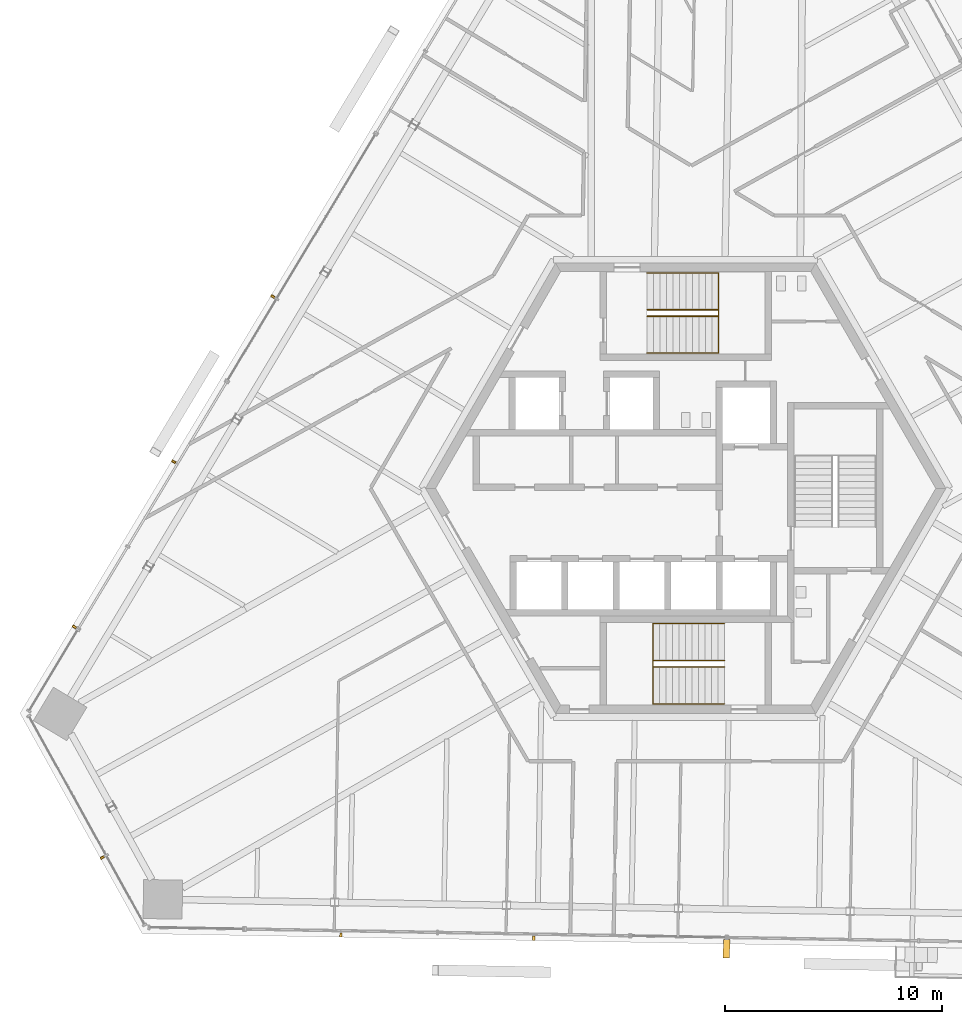
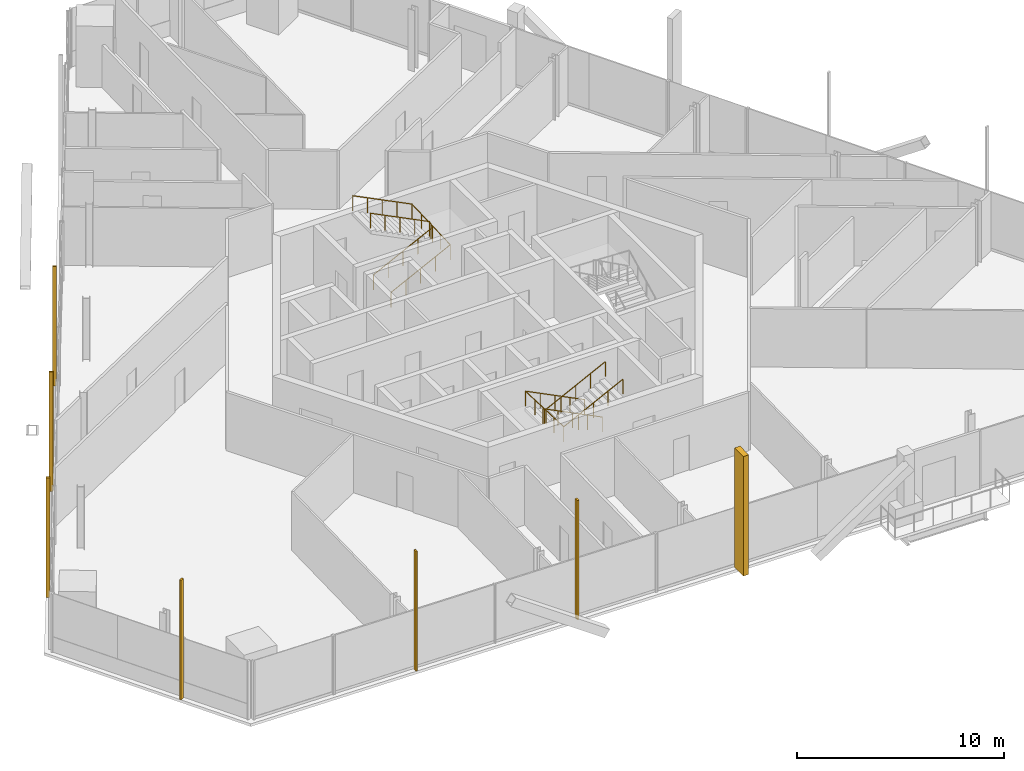
# One storey, part 16 of 21: 7 shading devices, 4 railings.
"""IFC4 building model written with IfcOpenShell, lengths in metres."""

from ifc_helpers import new_model, si_unit, direction, frame, origin, origin_2d, place, context, subcontext, project, spatial, rectangle, circle, extrude, source, transform, mapped, material, type_object, element, save


model = new_model("IFC4")

# Units and contexts
model_context = context("Model", 3, precision=1e-05, world=origin(), true_north=direction((0.0, 1.0)))
body_context = subcontext(model_context, "Body", "Model", "MODEL_VIEW")
ifc_project = project(units=[si_unit("LENGTHUNIT", "METRE"), si_unit("AREAUNIT", "SQUARE_METRE"), si_unit("VOLUMEUNIT", "CUBIC_METRE"), si_unit("PLANEANGLEUNIT", "RADIAN"), si_unit("MASSUNIT", "GRAM", prefix="KILO")], contexts=[model_context])

# Site, building, storey
site_placement = place(None, origin())
site = spatial("IfcSite", under=ifc_project, at=site_placement, CompositionType="ELEMENT")
building_placement = place(site_placement, origin())
building = spatial("IfcBuilding", under=site, at=building_placement, Name="Triune Harvest Tower", CompositionType="ELEMENT")
storey_placement = place(building_placement, frame((0.0, 0.0, 201.5)))
storey = spatial("IfcBuildingStorey", under=building, at=storey_placement, Name="L52", CompositionType="ELEMENT", Elevation=201.5)

# Railings
ifc_material_1 = material(Name="Stainless steel AISI 316", Category="steel")
railing_type = type_object("IfcRailingType", Name="Stair handrail", PredefinedType="HANDRAIL", material=ifc_material_1)
shared_shape_1 = source(origin(), body_context, "Body", "SweptSolid", [
    extrude(circle(Radius=0.02392578125, at=origin_2d()), frame((0.0, 0.0, 0.8759765625), z_axis=(0.894413956696, 0.0, 0.447240063129), x_axis=(0.0, 1.0, 0.0)), (0.0, 0.0, 1.0), 3.689697265625),
    extrude(circle(Radius=0.02392578125, at=origin_2d()), frame((3.300048828125, 0.0, 2.52587890625), z_axis=(0.0, 0.999180289278, 0.040481471304), x_axis=(-1.0, 0.0, 0.0)), (0.0, 0.0, 1.0), 3.702880859375),
    extrude(circle(Radius=0.02392578125, at=origin_2d()), frame((3.300048828125, 3.699951171875, 2.67578125), z_axis=(-0.894413956696, 0.0, 0.447240063129), x_axis=(0.0, -1.0, 0.0)), (0.0, 0.0, 1.0), 3.689697265625),
    extrude(circle(Radius=0.02099609375, at=origin_2d()), origin(), (0.0, 0.0, 1.0), 0.851806640625),
    extrude(circle(Radius=0.02099609375, at=origin_2d()), frame((0.824951171875, 0.0, 0.41259765625)), (0.0, 0.0, 1.0), 0.851806640625),
    extrude(circle(Radius=0.02099609375, at=origin_2d()), frame((1.64990234375, 0.0, 0.8251953125)), (0.0, 0.0, 1.0), 0.851806640625),
    extrude(circle(Radius=0.02099609375, at=origin_2d()), frame((2.47509765625, 0.0, 1.237548828125)), (0.0, 0.0, 1.0), 0.851806640625),
    extrude(circle(Radius=0.02099609375, at=origin_2d()), frame((3.300048828125, 0.0, 1.650146484375)), (0.0, 0.0, 1.0), 0.851806640625),
    extrude(circle(Radius=0.02099609375, at=origin_2d()), frame((3.300048828125, 0.925048828125, 1.6875)), (0.0, 0.0, 1.0), 0.851806640625),
    extrude(circle(Radius=0.02099609375, at=origin_2d()), frame((3.300048828125, 1.85009765625, 1.72509765625)), (0.0, 0.0, 1.0), 0.851806640625),
    extrude(circle(Radius=0.02099609375, at=origin_2d()), frame((3.300048828125, 2.77490234375, 1.7626953125)), (0.0, 0.0, 1.0), 0.851806640625),
    extrude(circle(Radius=0.02099609375, at=origin_2d()), frame((3.300048828125, 3.699951171875, 1.800048828125)), (0.0, 0.0, 1.0), 0.851806640625),
    extrude(circle(Radius=0.02099609375, at=origin_2d()), frame((2.47509765625, 3.699951171875, 2.212646484375)), (0.0, 0.0, 1.0), 0.851806640625),
    extrude(circle(Radius=0.02099609375, at=origin_2d()), frame((1.64990234375, 3.699951171875, 2.625)), (0.0, 0.0, 1.0), 0.851806640625),
    extrude(circle(Radius=0.02099609375, at=origin_2d()), frame((0.824951171875, 3.699951171875, 3.03759765625)), (0.0, 0.0, 1.0), 0.851806640625),
    extrude(circle(Radius=0.02099609375, at=origin_2d()), frame((0.0, 3.699951171875, 3.4501953125)), (0.0, 0.0, 1.0), 0.851806640625),
])
railing_1_placement = place(storey_placement, frame((-1.7900390625, 6.239990234375, 0.14990234375)))
element("IfcRailing", 1, at=railing_1_placement, inside=storey, type_object=railing_type, Name="Exit stair north wall handrail", PredefinedType="HANDRAIL", context=body_context, shape_type="MappedRepresentation", body=[
    mapped(shared_shape_1, transform((0.0, 0.0, 0.0), scale=1.0)),
])
shared_shape_2 = source(origin(), body_context, "Body", "SweptSolid", [
    extrude(circle(Radius=0.02392578125, at=origin_2d()), frame((0.0, 0.0, 0.8759765625), z_axis=(0.894413956696, 0.0, 0.447240063129), x_axis=(0.0, 1.0, 0.0)), (0.0, 0.0, 1.0), 3.689697265625),
    extrude(circle(Radius=0.02392578125, at=origin_2d()), frame((3.300048828125, 0.0, 2.52587890625), z_axis=(0.0, 0.894572720946, 0.446922417137), x_axis=(-1.0, 0.0, 0.0)), (0.0, 0.0, 1.0), 0.33544921875),
    extrude(circle(Radius=0.02392578125, at=origin_2d()), frame((3.300048828125, 0.300048828125, 2.67578125), z_axis=(-0.894413956696, 0.0, 0.447240063129), x_axis=(0.0, -1.0, 0.0)), (0.0, 0.0, 1.0), 3.689697265625),
    extrude(circle(Radius=0.02099609375, at=origin_2d()), origin(), (0.0, 0.0, 1.0), 0.851806640625),
    extrude(circle(Radius=0.02099609375, at=origin_2d()), frame((0.824951171875, 0.0, 0.41259765625)), (0.0, 0.0, 1.0), 0.851806640625),
    extrude(circle(Radius=0.02099609375, at=origin_2d()), frame((1.64990234375, 0.0, 0.8251953125)), (0.0, 0.0, 1.0), 0.851806640625),
    extrude(circle(Radius=0.02099609375, at=origin_2d()), frame((2.47509765625, 0.0, 1.237548828125)), (0.0, 0.0, 1.0), 0.851806640625),
    extrude(circle(Radius=0.02099609375, at=origin_2d()), frame((3.300048828125, 0.0, 1.650146484375)), (0.0, 0.0, 1.0), 0.851806640625),
    extrude(circle(Radius=0.02099609375, at=origin_2d()), frame((3.300048828125, 0.300048828125, 1.800048828125)), (0.0, 0.0, 1.0), 0.851806640625),
    extrude(circle(Radius=0.02099609375, at=origin_2d()), frame((2.47509765625, 0.300048828125, 2.212646484375)), (0.0, 0.0, 1.0), 0.851806640625),
    extrude(circle(Radius=0.02099609375, at=origin_2d()), frame((1.64990234375, 0.300048828125, 2.625)), (0.0, 0.0, 1.0), 0.851806640625),
    extrude(circle(Radius=0.02099609375, at=origin_2d()), frame((0.824951171875, 0.300048828125, 3.03759765625)), (0.0, 0.0, 1.0), 0.851806640625),
    extrude(circle(Radius=0.02099609375, at=origin_2d()), frame((0.0, 0.300048828125, 3.4501953125)), (0.0, 0.0, 1.0), 0.851806640625),
])
railing_2_placement = place(storey_placement, frame((-1.7900390625, 7.93994140625, 0.14990234375)))
element("IfcRailing", 2, at=railing_2_placement, inside=storey, type_object=railing_type, Name="Exit stair north centre handrail", PredefinedType="HANDRAIL", context=body_context, shape_type="MappedRepresentation", body=[
    mapped(shared_shape_2, transform((0.0, 0.0, 0.0), scale=1.0)),
])
shared_shape_3 = source(origin(), body_context, "Body", "SweptSolid", [
    extrude(circle(Radius=0.02392578125, at=origin_2d()), frame((0.0, 0.0, 0.8759765625), z_axis=(-0.894413956696, 0.0, 0.447240063129), x_axis=(0.0, -1.0, 0.0)), (0.0, 0.0, 1.0), 3.689697265625),
    extrude(circle(Radius=0.02392578125, at=origin_2d()), frame((-3.300048828125, 0.0, 2.52587890625), z_axis=(0.0, -0.999180289278, 0.040481471304), x_axis=(1.0, 0.0, 0.0)), (0.0, 0.0, 1.0), 3.702880859375),
    extrude(circle(Radius=0.02392578125, at=origin_2d()), frame((-3.300048828125, -3.699951171875, 2.67578125), z_axis=(0.894413956696, 0.0, 0.447240063129), x_axis=(0.0, 1.0, 0.0)), (0.0, 0.0, 1.0), 3.689697265625),
    extrude(circle(Radius=0.02099609375, at=origin_2d()), origin(), (0.0, 0.0, 1.0), 0.851806640625),
    extrude(circle(Radius=0.02099609375, at=origin_2d()), frame((-0.824951171875, 0.0, 0.41259765625)), (0.0, 0.0, 1.0), 0.851806640625),
    extrude(circle(Radius=0.02099609375, at=origin_2d()), frame((-1.64990234375, 0.0, 0.8251953125)), (0.0, 0.0, 1.0), 0.851806640625),
    extrude(circle(Radius=0.02099609375, at=origin_2d()), frame((-2.47509765625, 0.0, 1.237548828125)), (0.0, 0.0, 1.0), 0.851806640625),
    extrude(circle(Radius=0.02099609375, at=origin_2d()), frame((-3.300048828125, 0.0, 1.650146484375)), (0.0, 0.0, 1.0), 0.851806640625),
    extrude(circle(Radius=0.02099609375, at=origin_2d()), frame((-3.300048828125, -0.925048828125, 1.6875)), (0.0, 0.0, 1.0), 0.851806640625),
    extrude(circle(Radius=0.02099609375, at=origin_2d()), frame((-3.300048828125, -1.85009765625, 1.72509765625)), (0.0, 0.0, 1.0), 0.851806640625),
    extrude(circle(Radius=0.02099609375, at=origin_2d()), frame((-3.300048828125, -2.77490234375, 1.7626953125)), (0.0, 0.0, 1.0), 0.851806640625),
    extrude(circle(Radius=0.02099609375, at=origin_2d()), frame((-3.300048828125, -3.699951171875, 1.800048828125)), (0.0, 0.0, 1.0), 0.851806640625),
    extrude(circle(Radius=0.02099609375, at=origin_2d()), frame((-2.47509765625, -3.699951171875, 2.212646484375)), (0.0, 0.0, 1.0), 0.851806640625),
    extrude(circle(Radius=0.02099609375, at=origin_2d()), frame((-1.64990234375, -3.699951171875, 2.625)), (0.0, 0.0, 1.0), 0.851806640625),
    extrude(circle(Radius=0.02099609375, at=origin_2d()), frame((-0.824951171875, -3.699951171875, 3.03759765625)), (0.0, 0.0, 1.0), 0.851806640625),
    extrude(circle(Radius=0.02099609375, at=origin_2d()), frame((0.0, -3.699951171875, 3.4501953125)), (0.0, 0.0, 1.0), 0.851806640625),
])
railing_3_placement = place(storey_placement, frame((1.7900390625, -6.239990234375, 0.14990234375)))
element("IfcRailing", 3, at=railing_3_placement, inside=storey, type_object=railing_type, Name="Exit stair south wall handrail", PredefinedType="HANDRAIL", context=body_context, shape_type="MappedRepresentation", body=[
    mapped(shared_shape_3, transform((0.0, 0.0, 0.0), scale=1.0)),
])
shared_shape_4 = source(origin(), body_context, "Body", "SweptSolid", [
    extrude(circle(Radius=0.02392578125, at=origin_2d()), frame((0.0, 0.0, 0.8759765625), z_axis=(-0.894413956696, 0.0, 0.447240063129), x_axis=(0.0, -1.0, 0.0)), (0.0, 0.0, 1.0), 3.689697265625),
    extrude(circle(Radius=0.02392578125, at=origin_2d()), frame((-3.300048828125, 0.0, 2.52587890625), z_axis=(0.0, -0.894572720946, 0.446922417137), x_axis=(1.0, 0.0, 0.0)), (0.0, 0.0, 1.0), 0.33544921875),
    extrude(circle(Radius=0.02392578125, at=origin_2d()), frame((-3.300048828125, -0.300048828125, 2.67578125), z_axis=(0.894413956696, 0.0, 0.447240063129), x_axis=(0.0, 1.0, 0.0)), (0.0, 0.0, 1.0), 3.689697265625),
    extrude(circle(Radius=0.02099609375, at=origin_2d()), origin(), (0.0, 0.0, 1.0), 0.851806640625),
    extrude(circle(Radius=0.02099609375, at=origin_2d()), frame((-0.824951171875, 0.0, 0.41259765625)), (0.0, 0.0, 1.0), 0.851806640625),
    extrude(circle(Radius=0.02099609375, at=origin_2d()), frame((-1.64990234375, 0.0, 0.8251953125)), (0.0, 0.0, 1.0), 0.851806640625),
    extrude(circle(Radius=0.02099609375, at=origin_2d()), frame((-2.47509765625, 0.0, 1.237548828125)), (0.0, 0.0, 1.0), 0.851806640625),
    extrude(circle(Radius=0.02099609375, at=origin_2d()), frame((-3.300048828125, 0.0, 1.650146484375)), (0.0, 0.0, 1.0), 0.851806640625),
    extrude(circle(Radius=0.02099609375, at=origin_2d()), frame((-3.300048828125, -0.300048828125, 1.800048828125)), (0.0, 0.0, 1.0), 0.851806640625),
    extrude(circle(Radius=0.02099609375, at=origin_2d()), frame((-2.47509765625, -0.300048828125, 2.212646484375)), (0.0, 0.0, 1.0), 0.851806640625),
    extrude(circle(Radius=0.02099609375, at=origin_2d()), frame((-1.64990234375, -0.300048828125, 2.625)), (0.0, 0.0, 1.0), 0.851806640625),
    extrude(circle(Radius=0.02099609375, at=origin_2d()), frame((-0.824951171875, -0.300048828125, 3.03759765625)), (0.0, 0.0, 1.0), 0.851806640625),
    extrude(circle(Radius=0.02099609375, at=origin_2d()), frame((0.0, -0.300048828125, 3.4501953125)), (0.0, 0.0, 1.0), 0.851806640625),
])
railing_4_placement = place(storey_placement, frame((1.7900390625, -7.93994140625, 0.14990234375)))
element("IfcRailing", 4, at=railing_4_placement, inside=storey, type_object=railing_type, Name="Exit stair south centre handrail", PredefinedType="HANDRAIL", context=body_context, shape_type="MappedRepresentation", body=[
    mapped(shared_shape_4, transform((0.0, 0.0, 0.0), scale=1.0)),
])

# Shading devices
ifc_material_2 = material(Name="Aluminium bronze anodised", Category="aluminium")
shared_shape_5 = source(origin(), body_context, "Body", "SweptSolid", [
    extrude(rectangle(XDim=0.10009765625, YDim=0.199951171875, at=origin_2d()), origin(), (0.0, 0.0, 1.0), 7.0400390625),
])
for number, where, z_axis, x_axis, name in (
    (5, (-19.03955078125, 8.84765625, 0.0), (0.0, 0.0, 1.0), (-0.515036632219, -0.857168167557, 0.0), "FN-1 fin B5-F3.7 L52"),
    (6, (-23.617431640625, 1.228759765625, 0.0), (0.0, 0.0, 1.0), (-0.515036632219, -0.857168167557, 0.0), "FN-1 fin B5-F3.9 L52"),
    (7, (-28.1953125, -6.39013671875, 0.0), (0.0, 0.0, 1.0), (-0.515036632219, -0.857168167557, 0.0), "FN-1 fin B5-F3.11 L52"),
    (8, (-26.903076171875, -17.02783203125, 0.0), (0.0, 0.0, 1.0), (0.484801950362, -0.874623958582, 0.0), "FN-1 fin B5-F4.3 L52"),
    (9, (-15.90673828125, -20.6025390625, 0.0), (0.0, 0.0, 1.0), (0.999847708228, -0.017451657526, 0.0), "FN-1 fin B5-F5.3 L52"),
    (10, (-7.00927734375, -20.758056640625, 0.0), (0.0, 0.0, 1.0), (0.999847708228, -0.017451657526, 0.0), "FN-1 fin B5-F5.5 L52"),
):
    element("IfcShadingDevice", number, at=place(storey_placement, frame(where, z_axis=z_axis, x_axis=x_axis)), inside=storey, material=ifc_material_2, Name=name, ObjectType="FIN", PredefinedType="USERDEFINED", context=body_context, shape_type="MappedRepresentation", body=[
        mapped(shared_shape_5, transform((0.0, 0.0, 0.0), scale=1.0)),
    ])
shared_shape_6 = source(origin(), body_context, "Body", "SweptSolid", [
    extrude(rectangle(XDim=0.300048828125, YDim=0.85009765625, at=origin_2d()), origin(), (0.0, 0.0, 1.0), 7.0400390625),
])
shading_device_placement = place(storey_placement, frame((1.882568359375, -21.23828125, 0.0), z_axis=(0.0, 0.0, 1.0), x_axis=(0.999847708228, -0.017451657526, 0.0)))
element("IfcShadingDevice", 11, at=shading_device_placement, inside=storey, material=ifc_material_2, Name="FN-2 fin B5-F5.7 L52", ObjectType="FIN", PredefinedType="USERDEFINED", context=body_context, shape_type="MappedRepresentation", body=[
    mapped(shared_shape_6, transform((0.0, 0.0, 0.0), scale=1.0)),
])

save(model, "model.ifc")
